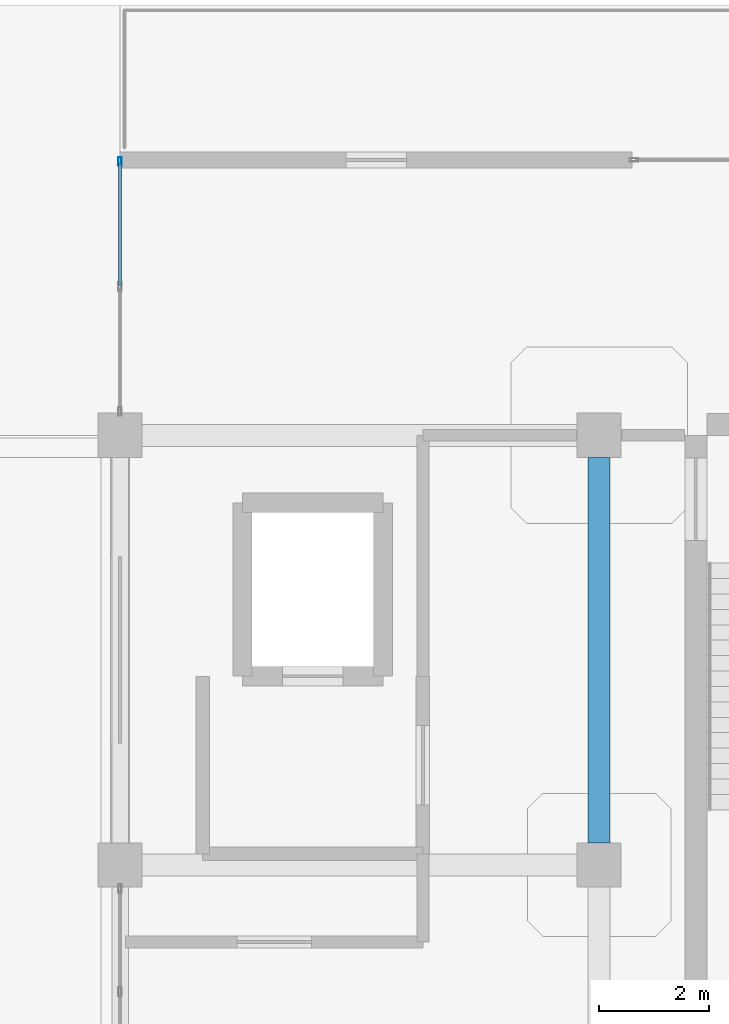
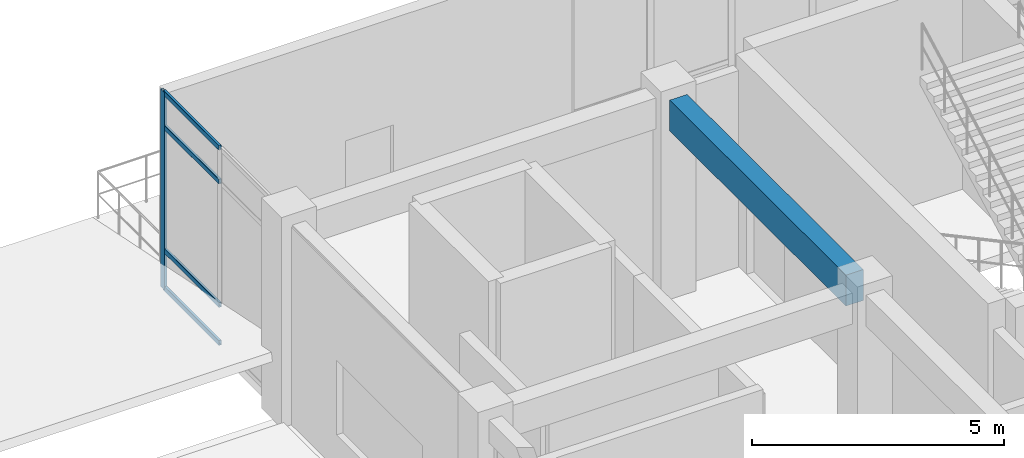
# One storey, part 66 of 124: 5 members, 1 beam, 1 element without a shape of its own.
"""IFC4 building model written with IfcOpenShell, lengths in metres."""

from ifc_helpers import new_model, si_unit, derived_unit, direction, frame, origin, origin_2d, place, context, subcontext, project, spatial, rectangle, hollow_rectangle, extrude, material, layer, layer_set, material_profile, profile_set, type_object, element, aggregate, save


model = new_model("IFC4")

# Units and contexts
model_context = context("Model", 3, precision=1e-05, world=origin(), true_north=direction((0.0, 1.0)))
body_context = subcontext(model_context, "Body", "Model", "MODEL_VIEW")
ifc_project = project(units=[si_unit("LENGTHUNIT", "METRE"), si_unit("AREAUNIT", "SQUARE_METRE"), si_unit("VOLUMEUNIT", "CUBIC_METRE"), si_unit("PLANEANGLEUNIT", "RADIAN"), si_unit("MASSUNIT", "GRAM", prefix="KILO"), derived_unit("THERMALTRANSMITTANCEUNIT", [(si_unit("MASSUNIT", "GRAM", prefix="KILO"), 1), (si_unit("TIMEUNIT", "SECOND"), -3), (si_unit("THERMODYNAMICTEMPERATUREUNIT", "KELVIN"), -1)])], contexts=[model_context])

# Site, building, storey
site_placement = place(None, origin())
site = spatial("IfcSite", under=ifc_project, at=site_placement, CompositionType="ELEMENT")
building_placement = place(site_placement, origin())
building = spatial("IfcBuilding", under=site, at=building_placement, Name="Qinzheling Arcade Emporium", CompositionType="ELEMENT")
storey_placement = place(building_placement, frame((0.0, 0.0, 16.5)))
storey = spatial("IfcBuildingStorey", under=building, at=storey_placement, Name="L04", CompositionType="ELEMENT", Elevation=16.5)

# Curtain wall, members
ifc_material_1 = material(Name="Anodised aluminium and solar-control double glazing", Category="aluminium")
ifc_layer = layer(ifc_material_1, 0.159912109375, Name="Anodised aluminium and solar-control double glazing", Category="aluminium")
ifc_layer_set = layer_set([ifc_layer], Name="Anodised aluminium and solar-control double glazing")
curtain_wall_type = type_object("IfcCurtainWallType", Name="Arcade Portal Glazed Curtain Wall", PredefinedType="NOTDEFINED", material=ifc_layer_set)
curtain_wall_placement = place(storey_placement, origin())
curtain_wall = element("IfcCurtainWall", 1, at=curtain_wall_placement, inside=storey, type_object=curtain_wall_type, Name="Curtain Wall CW-L04-262", PredefinedType="NOTDEFINED")
ifc_material_2 = material(Name="Anodised aluminium 6063-T6", Category="aluminium")
ifc_material_profile_1 = material_profile(ifc_material_2, hollow_rectangle(XDim=0.06005859375, YDim=0.159912109375, WallThickness=0.00390625, InnerFilletRadius=0.00390625, OuterFilletRadius=0.008056640625, at=origin_2d()), Name="RHS 160x60x4", Category="aluminium")
ifc_profile_set_1 = profile_set([ifc_material_profile_1], Name="Anodised aluminium 6063-T6")
member_type_1 = type_object("IfcMemberType", Name="Curtain Wall Mullion RHS160x60", PredefinedType="MULLION", material=ifc_profile_set_1)
member_1_placement = place(storey_placement, frame((104.39990234375, 111.77001953125, 0.0), z_axis=(0.0, 0.0, 1.0), x_axis=(-1.0, 0.0, 0.0)))
member_1 = element("IfcMember", 2, at=member_1_placement, type_object=member_type_1, Name="CW05 mullion 3", PredefinedType="MULLION", context=body_context, shape_type="SweptSolid", body=[
    extrude(hollow_rectangle(XDim=0.06005859375, YDim=0.159912109375, WallThickness=0.00390625, InnerFilletRadius=0.00390625, OuterFilletRadius=0.008056640625, at=origin_2d()), origin(), (0.0, 0.0, 1.0), 4.7900390625),
])
ifc_material_profile_2 = material_profile(ifc_material_2, hollow_rectangle(XDim=0.06005859375, YDim=0.1201171875, WallThickness=0.00390625, InnerFilletRadius=0.00390625, OuterFilletRadius=0.008056640625, at=origin_2d()), Name="RHS 120x60x4", Category="aluminium")
ifc_profile_set_2 = profile_set([ifc_material_profile_2], Name="Anodised aluminium 6063-T6")
member_type_2 = type_object("IfcMemberType", Name="Curtain Wall Transom RHS120x60", PredefinedType="USERDEFINED", material=ifc_profile_set_2)
member_2_placement = place(storey_placement, frame((104.39990234375, 109.531005859375, 0.030029296875), z_axis=(0.0, 1.0, 0.0), x_axis=(-1.0, 0.0, 0.0)))
member_2 = element("IfcMember", 3, at=member_2_placement, type_object=member_type_2, Name="CW05 transom 2.1", ObjectType="TRANSOM", PredefinedType="USERDEFINED", context=body_context, shape_type="SweptSolid", body=[
    extrude(hollow_rectangle(XDim=0.06005859375, YDim=0.1201171875, WallThickness=0.00390625, InnerFilletRadius=0.00390625, OuterFilletRadius=0.008056640625, at=origin_2d()), origin(), (0.0, 0.0, 1.0), 2.208984375),
])
member_3_placement = place(storey_placement, frame((104.39990234375, 109.531005859375, 0.949951171875), z_axis=(0.0, 1.0, 0.0), x_axis=(-1.0, 0.0, 0.0)))
member_3 = element("IfcMember", 4, at=member_3_placement, type_object=member_type_2, Name="CW05 transom 2.2", ObjectType="TRANSOM", PredefinedType="USERDEFINED", context=body_context, shape_type="SweptSolid", body=[
    extrude(hollow_rectangle(XDim=0.06005859375, YDim=0.1201171875, WallThickness=0.00390625, InnerFilletRadius=0.00390625, OuterFilletRadius=0.008056640625, at=origin_2d()), origin(), (0.0, 0.0, 1.0), 2.208984375),
])
member_4_placement = place(storey_placement, frame((104.39990234375, 109.531005859375, 3.93994140625), z_axis=(0.0, 1.0, 0.0), x_axis=(-1.0, 0.0, 0.0)))
member_4 = element("IfcMember", 5, at=member_4_placement, type_object=member_type_2, Name="CW05 transom 2.3", ObjectType="TRANSOM", PredefinedType="USERDEFINED", context=body_context, shape_type="SweptSolid", body=[
    extrude(hollow_rectangle(XDim=0.06005859375, YDim=0.1201171875, WallThickness=0.00390625, InnerFilletRadius=0.00390625, OuterFilletRadius=0.008056640625, at=origin_2d()), origin(), (0.0, 0.0, 1.0), 2.208984375),
])
member_5_placement = place(storey_placement, frame((104.39990234375, 109.531005859375, 4.760009765625), z_axis=(0.0, 1.0, 0.0), x_axis=(-1.0, 0.0, 0.0)))
member_5 = element("IfcMember", 6, at=member_5_placement, type_object=member_type_2, Name="CW05 transom 2.4", ObjectType="TRANSOM", PredefinedType="USERDEFINED", context=body_context, shape_type="SweptSolid", body=[
    extrude(hollow_rectangle(XDim=0.06005859375, YDim=0.1201171875, WallThickness=0.00390625, InnerFilletRadius=0.00390625, OuterFilletRadius=0.008056640625, at=origin_2d()), origin(), (0.0, 0.0, 1.0), 2.208984375),
])
aggregate(curtain_wall, [member_1, member_2, member_3, member_4, member_5])

# Beam
ifc_material_3 = material(Name="Concrete C40", Category="concrete")
ifc_material_profile_3 = material_profile(ifc_material_3, rectangle(XDim=0.39990234375, YDim=0.75, at=origin_2d()), Name="RC 400x750", Category="concrete")
ifc_profile_set_3 = profile_set([ifc_material_profile_3], Name="Concrete C40")
beam_type = type_object("IfcBeamType", Name="RC Interior Tie Beam 400x750 C40", PredefinedType="BEAM", material=ifc_profile_set_3)
beam_placement = place(storey_placement, frame((113.10009765625, 99.39990234375, 4.4599609375), z_axis=(0.0, 1.0, 0.0), x_axis=(-1.0, 0.0, 0.0)))
element("IfcBeam", 7, at=beam_placement, inside=storey, type_object=beam_type, Name="Beam BM-L04-Y-14-M", PredefinedType="BEAM", context=body_context, shape_type="SweptSolid", body=[
    extrude(rectangle(XDim=0.39990234375, YDim=0.75, at=origin_2d()), origin(), (0.0, 0.0, 1.0), 7.0),
])

save(model, "model.ifc")
